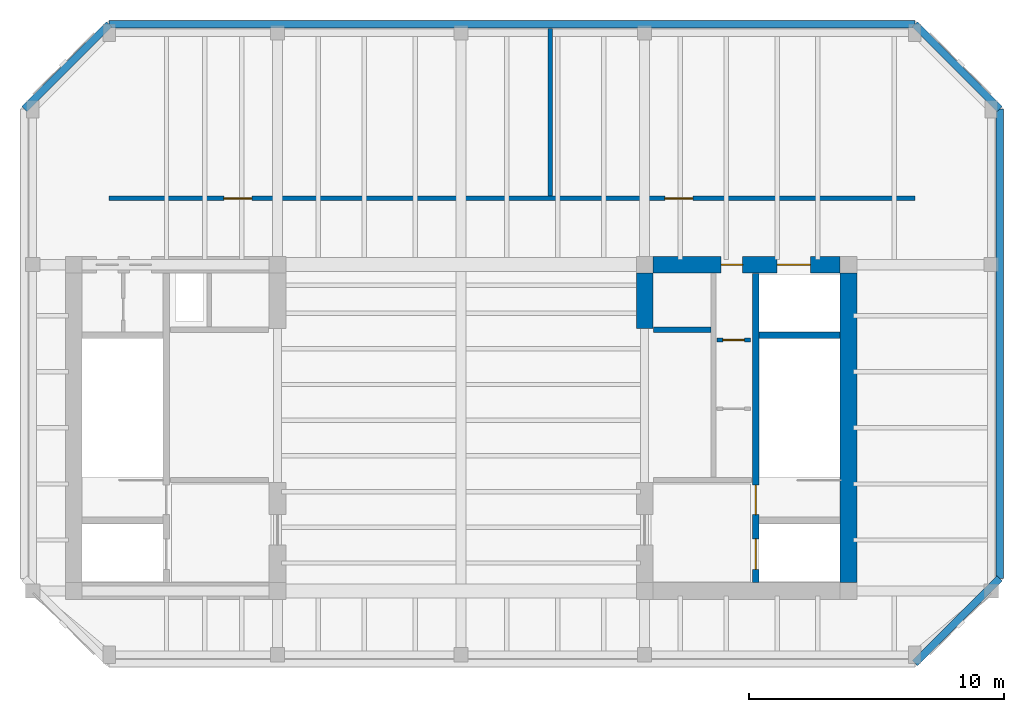
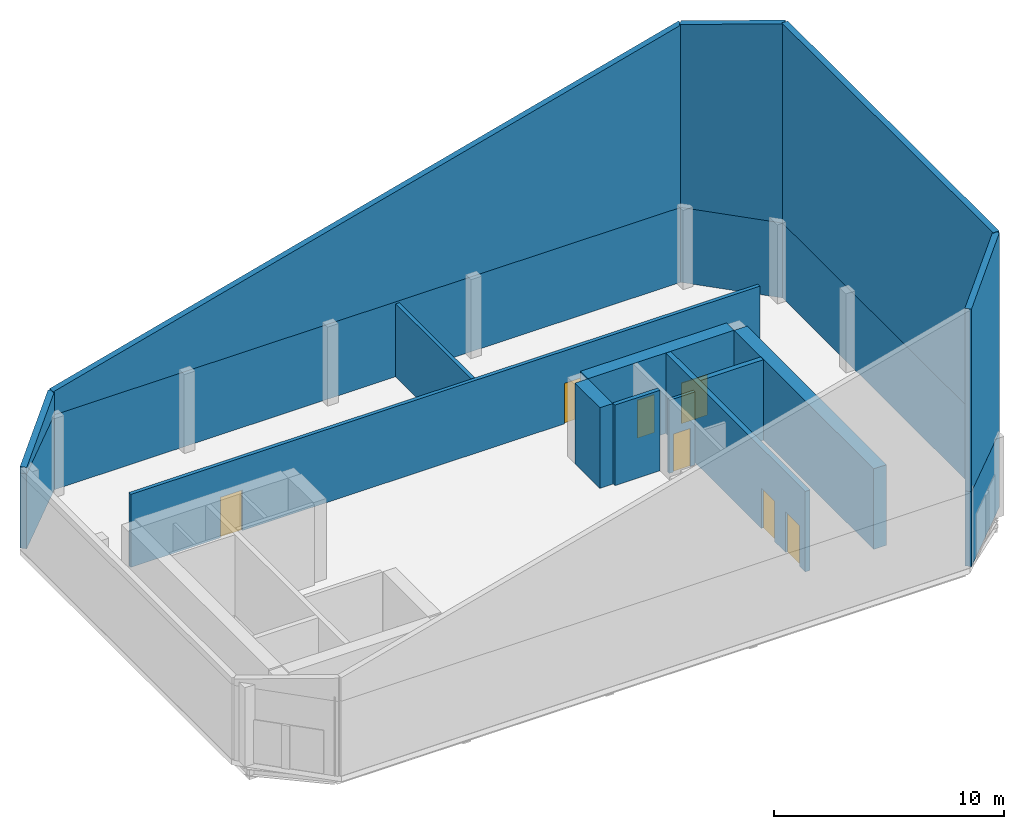
# One storey, part 3 of 4: 19 walls, 7 doors, 7 openings.
"""IFC4 building model written with IfcOpenShell, lengths in metres."""

import ifcopenshell
import ifcopenshell.guid

model = None  # the IFC model being written
_history = None  # IfcOwnerHistory: only IFC2X3 demands one
_inside = {}  # id of a spatial element -> (the spatial element, [elements in it])
_under = {}  # id of a project, library or spatial element -> (it, [spatial elements below it])
_declared = {}  # id of a project -> (the project, [libraries it declares])
_typed = {}  # id of a type object -> (the type object, [elements of that type])
_made_of = {}  # id of a material, layer set ... -> (it, [elements and type objects made of it])


def new_model(schema):
    """Start an empty IFC model of exactly this schema.

    Asked for "IFC4X3", IfcOpenShell would pick the latest addendum, in which some entities
    have other attributes; the version numbers below select the first issue.
    IFC2X3 requires an IfcOwnerHistory on every rooted entity: one is made here for all.
    """
    global model, _history
    if schema == "IFC4X3":
        model = ifcopenshell.file(schema_version=(4, 3, 0, 0))
    else:
        model = ifcopenshell.file(schema=schema)
    _inside.clear()
    _under.clear()
    _declared.clear()
    _typed.clear()
    _made_of.clear()
    _history = None
    if model.schema == "IFC2X3":
        org = make("IfcOrganization", Name="unknown")
        user = make(
            "IfcPersonAndOrganization",
            ThePerson=make("IfcPerson", FamilyName="unknown"),
            TheOrganization=org,
        )
        app = make(
            "IfcApplication",
            ApplicationDeveloper=org,
            Version="unknown",
            ApplicationFullName="unknown",
            ApplicationIdentifier="unknown",
        )
        _history = make(
            "IfcOwnerHistory",
            OwningUser=user,
            OwningApplication=app,
            ChangeAction="ADDED",
            CreationDate=0,
        )
    return model


def make(cls, **values):
    """One entity of the class cls with the attributes given. An attribute that is None is left unset."""
    return model.create_entity(
        cls, **{name: value for name, value in values.items() if value is not None}
    )


def rooted(cls, **values):
    """An entity with a GlobalId (a new one), such as an element, a storey or a relation."""
    return make(cls, GlobalId=ifcopenshell.guid.new(), OwnerHistory=_history, **values)


def si_unit(unit_type, name, prefix=None):
    """IfcSIUnit, for example si_unit("LENGTHUNIT", "METRE", prefix="MILLI")."""
    return make("IfcSIUnit", UnitType=unit_type, Prefix=prefix, Name=name)


def assignment(units):
    """IfcUnitAssignment: the units of a project."""
    return None if units is None else make("IfcUnitAssignment", Units=units)


def point(xyz):
    """IfcCartesianPoint."""
    return None if xyz is None else make("IfcCartesianPoint", Coordinates=xyz)


def direction(xyz):
    """IfcDirection."""
    return None if xyz is None else make("IfcDirection", DirectionRatios=xyz)


def frame(location, z_axis=None, x_axis=None):
    """IfcAxis2Placement3D, a coordinate frame: its origin and axes. An axis left out is left unset."""
    return make(
        "IfcAxis2Placement3D",
        Location=point(location),
        Axis=direction(z_axis),
        RefDirection=direction(x_axis),
    )


def frame_2d(location, x_axis=None):
    """IfcAxis2Placement2D, a coordinate frame in the plane: its origin and x axis."""
    return make(
        "IfcAxis2Placement2D", Location=point(location), RefDirection=direction(x_axis)
    )


def origin():
    """The frame at (0, 0, 0) with its axes left unset."""
    return frame((0.0, 0.0, 0.0))


def place(relative_to, where):
    """IfcLocalPlacement: puts the frame where relative to a parent placement (None: the world)."""
    return make(
        "IfcLocalPlacement", PlacementRelTo=relative_to, RelativePlacement=where
    )


def context(
    kind, dimensions, precision=None, world=None, true_north=None, identifier=None
):
    """IfcGeometricRepresentationContext, for example the 3D "Model" context."""
    return make(
        "IfcGeometricRepresentationContext",
        ContextIdentifier=identifier,
        ContextType=kind,
        CoordinateSpaceDimension=dimensions,
        Precision=precision,
        WorldCoordinateSystem=world,
        TrueNorth=true_north,
    )


def subcontext(parent, identifier, kind, view, scale=None):
    """IfcGeometricRepresentationSubContext, for example "Body" below "Model"."""
    return make(
        "IfcGeometricRepresentationSubContext",
        ContextIdentifier=identifier,
        ContextType=kind,
        ParentContext=parent,
        TargetScale=scale,
        TargetView=view,
    )


def project(units=None, contexts=None):
    """IfcProject with its units and contexts."""
    return rooted(
        "IfcProject",
        Name="project",
        RepresentationContexts=contexts,
        UnitsInContext=assignment(units),
    )


def spatial(cls, under=None, at=None, **own):
    """A site, building, storey or space (cls), placed at a placement, below another one or the project."""
    s = rooted(cls, ObjectPlacement=at, **own)
    if under is not None:
        _under.setdefault(under.id(), (under, []))[1].append(s)
    return s


def polyline(points):
    """IfcPolyline through the points."""
    return make("IfcPolyline", Points=[point(p) for p in points])


def profile(cls, at=None, kind="AREA", **sizes):
    """A parametric profile (cls). Its sizes go by their IFC names, for example OverallWidth=200.0."""
    return make(cls, ProfileType=kind, Position=at, **sizes)


def rectangle(**sizes):
    """IfcRectangleProfileDef."""
    return profile("IfcRectangleProfileDef", **sizes)


def outline(outer, holes=None, kind="AREA"):
    """IfcArbitraryClosedProfileDef: a profile drawn as a closed curve; with holes, ...WithVoids."""
    if holes is None:
        return make("IfcArbitraryClosedProfileDef", ProfileType=kind, OuterCurve=outer)
    return make(
        "IfcArbitraryProfileDefWithVoids",
        ProfileType=kind,
        OuterCurve=outer,
        InnerCurves=holes,
    )


def extrude(swept, where, along, depth):
    """IfcExtrudedAreaSolid: the profile swept, set in the frame where, extruded along a direction by depth."""
    return make(
        "IfcExtrudedAreaSolid",
        SweptArea=swept,
        Position=where,
        ExtrudedDirection=direction(along),
        Depth=depth,
    )


def shape(context_of_items, identifier, shape_type, items):
    """IfcShapeRepresentation: the items that make up one representation, for example the "Body"."""
    return make(
        "IfcShapeRepresentation",
        ContextOfItems=context_of_items,
        RepresentationIdentifier=identifier,
        RepresentationType=shape_type,
        Items=items,
    )


def material(Name=None, Category=None):
    """IfcMaterial."""
    return make("IfcMaterial", Name=Name, Category=Category)


def layer(
    of_material, thickness, ventilated=None, Name=None, Category=None, Priority=None
):
    """IfcMaterialLayer: one layer of a wall or slab, of a material (None: an air gap)."""
    return make(
        "IfcMaterialLayer",
        Material=of_material,
        LayerThickness=thickness,
        IsVentilated=ventilated,
        Name=Name,
        Category=Category,
        Priority=Priority,
    )


def layer_set(layers, Name=None):
    """IfcMaterialLayerSet."""
    return make("IfcMaterialLayerSet", MaterialLayers=layers, LayerSetName=Name)


def made_of(thing, what):
    """Note that an element or type object is made of a material, layer set ...; save() writes the relation."""
    if what is not None:
        _made_of.setdefault(what.id(), (what, []))[1].append(thing)
    return thing


def type_object(cls, material=None, **own):
    """A type object (cls), such as IfcWallType, which elements share."""
    return made_of(rooted(cls, **own), material)


def element(
    cls,
    number,
    at=None,
    inside=None,
    cuts=None,
    type_object=None,
    material=None,
    context=None,
    identifier="Body",
    shape_type=None,
    held_by="IfcProductDefinitionShape",
    body=None,
    shapes=None,
    **own,
):
    """One element of the class cls, such as IfcWall. Its Tag is "e" and its number.

    at: its placement. inside: the storey or other place that contains it. cuts: it is an
    opening in that element (IfcRelVoidsElement). A single representation is given by context,
    identifier, shape_type and body (its items); several are given by shapes. held_by: the class
    of the entity that holds the representations. save() writes the other relations.
    """
    e = rooted(cls, Tag="e%d" % number, ObjectPlacement=at, **own)
    if body is not None:
        shapes = [shape(context, identifier, shape_type, body)]
    if shapes is not None:
        e.Representation = make(held_by, Representations=shapes)
    if inside is not None:
        _inside.setdefault(inside.id(), (inside, []))[1].append(e)
    if cuts is not None:
        rooted(
            "IfcRelVoidsElement", RelatingBuildingElement=cuts, RelatedOpeningElement=e
        )
    if type_object is not None:
        _typed.setdefault(type_object.id(), (type_object, []))[1].append(e)
    return made_of(e, material)


def fill(opening, filler):
    """IfcRelFillsElement: the door or window that sits in an opening."""
    return rooted(
        "IfcRelFillsElement",
        RelatingOpeningElement=opening,
        RelatedBuildingElement=filler,
    )


def aggregate(whole, parts):
    """IfcRelAggregates: a whole, such as a stair, and the parts it consists of."""
    return rooted("IfcRelAggregates", RelatingObject=whole, RelatedObjects=parts)


def save(model, path):
    """Write the relations noted so far, then the file.

    IfcRelAggregates (storeys below a building ...), IfcRelContainedInSpatialStructure (elements
    in a storey), IfcRelDefinesByType, IfcRelAssociatesMaterial and IfcRelDeclares: one each for
    every whole, place, type object, material and project.
    """
    for whole, parts in _under.values():
        aggregate(whole, parts)
    for where, things in _inside.values():
        rooted(
            "IfcRelContainedInSpatialStructure",
            RelatedElements=things,
            RelatingStructure=where,
        )
    for kind, things in _typed.values():
        rooted("IfcRelDefinesByType", RelatedObjects=things, RelatingType=kind)
    for what, things in _made_of.values():
        rooted("IfcRelAssociatesMaterial", RelatedObjects=things, RelatingMaterial=what)
    for by, libraries in _declared.values():
        rooted("IfcRelDeclares", RelatingContext=by, RelatedDefinitions=libraries)
    model.write(path)


model = new_model("IFC4")

# Units and contexts
model_context = context("Model", 3, precision=1e-05, world=origin(), true_north=direction((0.0, 1.0)))
body_context = subcontext(model_context, "Body", "Model", "MODEL_VIEW")
ifc_project = project(units=[si_unit("LENGTHUNIT", "METRE"), si_unit("AREAUNIT", "SQUARE_METRE"), si_unit("VOLUMEUNIT", "CUBIC_METRE"), si_unit("PLANEANGLEUNIT", "RADIAN"), si_unit("MASSUNIT", "GRAM", prefix="KILO")], contexts=[model_context])

# Site, building, storey
site_placement = place(None, origin())
site = spatial("IfcSite", under=ifc_project, at=site_placement, CompositionType="ELEMENT")
building_placement = place(site_placement, origin())
building = spatial("IfcBuilding", under=site, at=building_placement, Name="Kranthara Brick Stack", CompositionType="ELEMENT")
storey_placement = place(building_placement, frame((0.0, 0.0, 309.0)))
storey = spatial("IfcBuildingStorey", under=building, at=storey_placement, Name="L81", CompositionType="ELEMENT", Elevation=309.0)

# Walls
ifc_material_1 = material(Name="Precast concrete C45/55", Category="concrete")
ifc_layer_1 = layer(ifc_material_1, 0.300048828125)
ifc_layer_set_1 = layer_set([ifc_layer_1], Name="Precast concrete C45/55")
wall_type_1 = type_object("IfcWallType", Name="WL-BRK-CRWN-300", PredefinedType="STANDARD", material=ifc_layer_set_1)
wall_1_placement = place(storey_placement, frame((10.8701171875, 39.699951171875, 0.0), z_axis=(0.0, 0.0, 1.0), x_axis=(0.707080859425, 0.707132701998, 0.0)))
element("IfcWall", 1, at=wall_1_placement, inside=storey, type_object=wall_type_1, Name="L81 Exterior Brick Facade Wall NW 1", PredefinedType="STANDARD", context=body_context, shape_type="SweptSolid", body=[
    extrude(rectangle(XDim=4.709228515625, YDim=0.300048828125, at=frame_2d((2.3544921875, 0.0))), origin(), (0.0, 0.0, 1.0), 3.97998046875),
])
wall_2_placement = place(storey_placement, frame((14.199951171875, 43.030029296875, 0.0), z_axis=(0.0, 0.0, 1.0), x_axis=(1.0, 0.0, 0.0)))
element("IfcWall", 2, at=wall_2_placement, inside=storey, type_object=wall_type_1, Name="L81 Exterior Brick Facade Wall NORTH 1", PredefinedType="STANDARD", context=body_context, shape_type="SweptSolid", body=[
    extrude(rectangle(XDim=31.60009765625, YDim=0.300048828125, at=frame_2d((15.800048828125, 0.0))), origin(), (0.0, 0.0, 1.0), 3.97998046875),
])
wall_3_placement = place(storey_placement, frame((45.800048828125, 43.030029296875, 0.0), z_axis=(0.0, 0.0, 1.0), x_axis=(0.707080859425, -0.707132701998, 0.0)))
element("IfcWall", 3, at=wall_3_placement, inside=storey, type_object=wall_type_1, Name="L81 Exterior Brick Facade Wall NE 1", PredefinedType="STANDARD", context=body_context, shape_type="SweptSolid", body=[
    extrude(rectangle(XDim=4.709228515625, YDim=0.300048828125, at=frame_2d((2.3544921875, 0.0))), origin(), (0.0, 0.0, 1.0), 3.97998046875),
])
wall_4_placement = place(storey_placement, frame((49.1298828125, 39.699951171875, 0.0), z_axis=(0.0, 0.0, 1.0), x_axis=(0.0, -1.0, 0.0)))
element("IfcWall", 4, at=wall_4_placement, inside=storey, type_object=wall_type_1, Name="L81 Exterior Brick Facade Wall EAST 1", PredefinedType="STANDARD", context=body_context, shape_type="SweptSolid", body=[
    extrude(rectangle(XDim=18.39990234375, YDim=0.300048828125, at=frame_2d((9.199951171875, 0.0))), origin(), (0.0, 0.0, 1.0), 3.97998046875),
])
wall_5_placement = place(storey_placement, frame((49.1298828125, 21.300048828125, 0.0), z_axis=(0.0, 0.0, 1.0), x_axis=(-0.707080859425, -0.707132701998, 0.0)))
element("IfcWall", 5, at=wall_5_placement, inside=storey, type_object=wall_type_1, Name="L81 Exterior Brick Facade Wall SE 1", PredefinedType="STANDARD", context=body_context, shape_type="SweptSolid", body=[
    extrude(rectangle(XDim=4.709228515625, YDim=0.300048828125, at=frame_2d((2.3544921875, 0.0))), origin(), (0.0, 0.0, 1.0), 3.97998046875),
])
wall_6_placement = place(storey_placement, frame((10.8701171875, 39.699951171875, 3.97998046875), z_axis=(0.0, 0.0, 1.0), x_axis=(0.707080859425, 0.707132701998, 0.0)))
element("IfcWall", 6, at=wall_6_placement, inside=storey, type_object=wall_type_1, Name="L81 Slanted Crown Raked Enclosure Wall NW", PredefinedType="STANDARD", context=body_context, shape_type="SweptSolid", body=[
    extrude(outline(polyline([(0.0, 0.0), (4.709228515625, 0.0), (4.709228515625, 1.23779296875), (0.0, 0.345703125), (0.0, 0.0)])), frame((0.0, 0.14990234375, 0.0), z_axis=(0.0, -1.0, 0.0), x_axis=(1.0, 0.0, 0.0)), (0.0, 0.0, 1.0), 0.300048828125),
])
wall_7_placement = place(storey_placement, frame((14.199951171875, 43.030029296875, 3.97998046875), z_axis=(0.0, 0.0, 1.0), x_axis=(1.0, 0.0, 0.0)))
element("IfcWall", 7, at=wall_7_placement, inside=storey, type_object=wall_type_1, Name="L81 Slanted Crown Raked Enclosure Wall NORTH", PredefinedType="STANDARD", context=body_context, shape_type="SweptSolid", body=[
    extrude(outline(polyline([(0.0, 0.0), (31.60009765625, 0.0), (31.60009765625, 9.705078125), (0.0, 1.23779296875), (0.0, 0.0)])), frame((0.0, 0.14990234375, 0.0), z_axis=(0.0, -1.0, 0.0), x_axis=(1.0, 0.0, 0.0)), (0.0, 0.0, 1.0), 0.300048828125),
])
wall_8_placement = place(storey_placement, frame((45.800048828125, 43.030029296875, 3.97998046875), z_axis=(0.0, 0.0, 1.0), x_axis=(0.707080859425, -0.707132701998, 0.0)))
element("IfcWall", 8, at=wall_8_placement, inside=storey, type_object=wall_type_1, Name="L81 Slanted Crown Raked Enclosure Wall NE", PredefinedType="STANDARD", context=body_context, shape_type="SweptSolid", body=[
    extrude(outline(polyline([(0.0, 0.0), (4.709228515625, 0.0), (4.709228515625, 10.59716796875), (0.0, 9.705078125), (0.0, 0.0)])), frame((0.0, 0.14990234375, 0.0), z_axis=(0.0, -1.0, 0.0), x_axis=(1.0, 0.0, 0.0)), (0.0, 0.0, 1.0), 0.300048828125),
])
wall_9_placement = place(storey_placement, frame((49.1298828125, 39.699951171875, 3.97998046875), z_axis=(0.0, 0.0, 1.0), x_axis=(0.0, -1.0, 0.0)))
element("IfcWall", 9, at=wall_9_placement, inside=storey, type_object=wall_type_1, Name="L81 Slanted Crown Raked Enclosure Wall EAST", PredefinedType="STANDARD", context=body_context, shape_type="SweptSolid", body=[
    extrude(outline(polyline([(0.0, 0.0), (18.39990234375, 0.0), (18.39990234375, 10.59716796875), (0.0, 10.59716796875), (0.0, 0.0)])), frame((0.0, 0.14990234375, 0.0), z_axis=(0.0, -1.0, 0.0), x_axis=(1.0, 0.0, 0.0)), (0.0, 0.0, 1.0), 0.300048828125),
])
wall_10_placement = place(storey_placement, frame((49.1298828125, 21.300048828125, 3.97998046875), z_axis=(0.0, 0.0, 1.0), x_axis=(-0.707080859425, -0.707132701998, 0.0)))
element("IfcWall", 10, at=wall_10_placement, inside=storey, type_object=wall_type_1, Name="L81 Slanted Crown Raked Enclosure Wall SE", PredefinedType="STANDARD", context=body_context, shape_type="SweptSolid", body=[
    extrude(outline(polyline([(0.0, 0.0), (4.709228515625, 0.0), (4.709228515625, 9.705078125), (0.0, 10.59716796875), (0.0, 0.0)])), frame((0.0, 0.14990234375, 0.0), z_axis=(0.0, -1.0, 0.0), x_axis=(1.0, 0.0, 0.0)), (0.0, 0.0, 1.0), 0.300048828125),
])

# Wall, openings, doors
ifc_material_2 = material(Name="Concrete C50/60", Category="concrete")
ifc_layer_2 = layer(ifc_material_2, 0.25)
ifc_layer_set_2 = layer_set([ifc_layer_2], Name="Concrete C50/60")
wall_type_2 = type_object("IfcWallType", Name="WL-CORE-250", PredefinedType="SHEAR", material=ifc_layer_set_2)
wall_11_placement = place(storey_placement, frame((39.56494140625, 21.135009765625, 0.0), z_axis=(0.0, 0.0, 1.0), x_axis=(0.0, 1.0, 0.0)))
wall_11 = element("IfcWall", 11, at=wall_11_placement, inside=storey, type_object=wall_type_2, Name="L81 East Core Stair Bearing Spine Wall", PredefinedType="SHEAR", context=body_context, shape_type="SweptSolid", body=[
    extrude(rectangle(XDim=12.1298828125, YDim=0.25, at=frame_2d((6.06494140625, 0.0))), origin(), (0.0, 0.0, 1.0), 4.280029296875),
])
opening_1_placement = place(wall_11_placement, frame((0.514892578125, 0.0, 0.0)))
opening_1 = element("IfcOpeningElement", 12, at=opening_1_placement, cuts=wall_11, Name="Opening LD01", PredefinedType="OPENING", context=body_context, shape_type="SweptSolid", body=[
    extrude(rectangle(XDim=1.199951171875, YDim=2.14990234375, at=frame_2d((0.60009765625, 1.074951171875))), frame((0.0, 0.135009765625, 0.0), z_axis=(0.0, -1.0, 0.0), x_axis=(1.0, 0.0, 0.0)), (0.0, 0.0, 1.0), 0.27001953125),
])
opening_2_placement = place(wall_11_placement, frame((2.6650390625, 0.0, 0.0)))
opening_2 = element("IfcOpeningElement", 13, at=opening_2_placement, cuts=wall_11, Name="Opening D05", PredefinedType="OPENING", context=body_context, shape_type="SweptSolid", body=[
    extrude(rectangle(XDim=1.14990234375, YDim=2.14990234375, at=frame_2d((0.574951171875, 1.074951171875))), frame((0.0, 0.135009765625, 0.0), z_axis=(0.0, -1.0, 0.0), x_axis=(1.0, 0.0, 0.0)), (0.0, 0.0, 1.0), 0.27001953125),
])
ifc_material_3 = material(Name="Stainless steel sliding landing door", Category="steel")
door_type_1 = type_object("IfcDoorType", Name="DR-LD-FF1200", OperationType="DOUBLE_DOOR_SLIDING", PredefinedType="DOOR", material=ifc_material_3)
door_1_placement = place(opening_1_placement, origin())
door_1 = element("IfcDoor", 14, at=door_1_placement, inside=storey, type_object=door_type_1, Name="L81 Firefighting Lift FF-02 Landing Door", OperationType="DOUBLE_DOOR_SLIDING", OverallHeight=2.14990234375, OverallWidth=1.199951171875, PredefinedType="DOOR", context=body_context, shape_type="SweptSolid", body=[
    extrude(rectangle(XDim=1.199951171875, YDim=2.14990234375, at=frame_2d((0.60009765625, 1.074951171875))), frame((0.0, 0.02490234375, 0.0), z_axis=(0.0, -1.0, 0.0), x_axis=(1.0, 0.0, 0.0)), (0.0, 0.0, 1.0), 0.050048828125),
])
fill(opening_1, door_1)
ifc_material_4 = material(Name="Solid-core hardwood timber leaf in steel frame", Category="steel")
door_type_2 = type_object("IfcDoorType", Name="DR-ST-1150", OperationType="NOTDEFINED", PredefinedType="DOOR", material=ifc_material_4)
door_2_placement = place(opening_2_placement, origin())
door_2 = element("IfcDoor", 15, at=door_2_placement, inside=storey, type_object=door_type_2, Name="L81 Exit Stair ST02 Door", OperationType="SINGLE_SWING_LEFT", OverallHeight=2.14990234375, OverallWidth=1.14990234375, PredefinedType="DOOR", context=body_context, shape_type="SweptSolid", body=[
    extrude(rectangle(XDim=1.14990234375, YDim=2.14990234375, at=frame_2d((0.574951171875, 1.074951171875))), frame((0.0, 0.02490234375, 0.0), z_axis=(0.0, -1.0, 0.0), x_axis=(1.0, 0.0, 0.0)), (0.0, 0.0, 1.0), 0.050048828125),
])
fill(opening_2, door_2)

# Walls
wall_12_placement = place(storey_placement, frame((39.68994140625, 30.830078125, 0.0), z_axis=(0.0, 0.0, 1.0), x_axis=(1.0, 0.0, 0.0)))
element("IfcWall", 16, at=wall_12_placement, inside=storey, type_object=wall_type_2, Name="L81 East Stairwell Bearing Wall EST", PredefinedType="SHEAR", context=body_context, shape_type="SweptSolid", body=[
    extrude(rectangle(XDim=3.175048828125, YDim=0.25, at=frame_2d((1.58740234375, 0.0))), origin(), (0.0, 0.0, 1.0), 4.280029296875),
])
ifc_material_5 = material(Name="Concrete C60/75", Category="concrete")
ifc_layer_3 = layer(ifc_material_5, 0.64990234375)
ifc_layer_set_3 = layer_set([ifc_layer_3], Name="Concrete C60/75")
wall_type_3 = type_object("IfcWallType", Name="WL-CORE-650", PredefinedType="SHEAR", material=ifc_layer_set_3)
wall_13_placement = place(storey_placement, frame((43.199951171875, 21.1298828125, 0.0), z_axis=(0.0, 0.0, 1.0), x_axis=(0.0, 1.0, 0.0)))
element("IfcWall", 17, at=wall_13_placement, inside=storey, type_object=wall_type_3, Name="L81 East Core Shear Wall East", PredefinedType="SHEAR", context=body_context, shape_type="SweptSolid", body=[
    extrude(rectangle(XDim=12.14013671875, YDim=0.64990234375, at=frame_2d((6.070068359375, 0.0))), origin(), (0.0, 0.0, 1.0), 4.280029296875),
])

# Wall, openings, doors
wall_14_placement = place(storey_placement, frame((35.530029296875, 33.60009765625, 0.0), z_axis=(0.0, 0.0, 1.0), x_axis=(1.0, 0.0, 0.0)))
wall_14 = element("IfcWall", 18, at=wall_14_placement, inside=storey, type_object=wall_type_3, Name="L81 East Core Shear Wall North", PredefinedType="SHEAR", context=body_context, shape_type="SweptSolid", body=[
    extrude(rectangle(XDim=7.340087890625, YDim=0.64990234375, at=frame_2d((3.669921875, 0.0))), origin(), (0.0, 0.0, 1.0), 4.280029296875),
])
opening_3_placement = place(wall_14_placement, frame((4.8701171875, 0.0, 0.0)))
opening_3 = element("IfcOpeningElement", 19, at=opening_3_placement, cuts=wall_14, Name="Opening LD03", PredefinedType="OPENING", context=body_context, shape_type="SweptSolid", body=[
    extrude(rectangle(XDim=1.300048828125, YDim=2.14990234375, at=frame_2d((0.64990234375, 1.074951171875))), frame((0.0, 0.3349609375, 0.0), z_axis=(0.0, -1.0, 0.0), x_axis=(1.0, 0.0, 0.0)), (0.0, 0.0, 1.0), 0.669921875),
])
opening_4_placement = place(wall_14_placement, frame((2.669921875, 0.0, 0.0)))
opening_4 = element("IfcOpeningElement", 20, at=opening_4_placement, cuts=wall_14, Name="Opening D10", PredefinedType="OPENING", context=body_context, shape_type="SweptSolid", body=[
    extrude(rectangle(XDim=0.85009765625, YDim=2.02001953125, at=frame_2d((0.425048828125, 1.010009765625))), frame((0.0, 0.3349609375, 0.0), z_axis=(0.0, -1.0, 0.0), x_axis=(1.0, 0.0, 0.0)), (0.0, 0.0, 1.0), 0.669921875),
])
ifc_material_6 = material(Name="Stainless steel sliding landing door", Category="steel")
door_type_3 = type_object("IfcDoorType", Name="DR-LD-SV1300", OperationType="DOUBLE_DOOR_SLIDING", PredefinedType="DOOR", material=ifc_material_6)
door_3_placement = place(opening_3_placement, origin())
door_3 = element("IfcDoor", 21, at=door_3_placement, inside=storey, type_object=door_type_3, Name="L81 Stretcher Service Lift SV-01 Landing Door", OperationType="DOUBLE_DOOR_SLIDING", OverallHeight=2.14990234375, OverallWidth=1.300048828125, PredefinedType="DOOR", context=body_context, shape_type="SweptSolid", body=[
    extrude(rectangle(XDim=1.300048828125, YDim=2.14990234375, at=frame_2d((0.64990234375, 1.074951171875))), frame((0.0, 0.02490234375, 0.0), z_axis=(0.0, -1.0, 0.0), x_axis=(1.0, 0.0, 0.0)), (0.0, 0.0, 1.0), 0.050048828125),
])
fill(opening_3, door_3)
ifc_material_7 = material(Name="Solid-core hardwood timber leaf in steel frame", Category="steel")
door_type_4 = type_object("IfcDoorType", Name="DR-RSR-850", OperationType="NOTDEFINED", PredefinedType="DOOR", material=ifc_material_7)
door_4_placement = place(opening_4_placement, origin())
door_4 = element("IfcDoor", 22, at=door_4_placement, inside=storey, type_object=door_type_4, Name="L81 East Core Service Room Door", OperationType="SINGLE_SWING_LEFT", OverallHeight=2.02001953125, OverallWidth=0.85009765625, PredefinedType="DOOR", context=body_context, shape_type="SweptSolid", body=[
    extrude(rectangle(XDim=0.85009765625, YDim=2.02001953125, at=frame_2d((0.425048828125, 1.010009765625))), frame((0.0, 0.02490234375, 0.0), z_axis=(0.0, -1.0, 0.0), x_axis=(1.0, 0.0, 0.0)), (0.0, 0.0, 1.0), 0.050048828125),
])
fill(opening_4, door_4)

# Wall
wall_15_placement = place(storey_placement, frame((35.199951171875, 31.10009765625, 0.0), z_axis=(0.0, 0.0, 1.0), x_axis=(0.0, 1.0, 0.0)))
element("IfcWall", 23, at=wall_15_placement, inside=storey, type_object=wall_type_3, Name="L81 East Core High-Rise Lift Wall", PredefinedType="SHEAR", context=body_context, shape_type="SweptSolid", body=[
    extrude(rectangle(XDim=2.169921875, YDim=0.64990234375, at=frame_2d((1.0849609375, 0.0))), origin(), (0.0, 0.0, 1.0), 4.280029296875),
])

# Wall, opening, door
ifc_material_8 = material(Name="Fire-rated gypsum board partition", Category="other")
ifc_layer_4 = layer(ifc_material_8, 0.14990234375)
ifc_layer_set_4 = layer_set([ifc_layer_4], Name="Fire-rated gypsum board partition")
wall_type_4 = type_object("IfcWallType", Name="WL-PART-150", PredefinedType="PARTITIONING", material=ifc_layer_set_4)
wall_16_placement = place(storey_placement, frame((38.050048828125, 30.64990234375, 0.0), z_axis=(0.0, 0.0, 1.0), x_axis=(1.0, 0.0, 0.0)))
wall_16 = element("IfcWall", 24, at=wall_16_placement, inside=storey, type_object=wall_type_4, Name="L81 Interior Partition 003", PredefinedType="PARTITIONING", context=body_context, shape_type="SweptSolid", body=[
    extrude(rectangle(XDim=1.300048828125, YDim=0.14990234375, at=frame_2d((0.64990234375, 0.0))), origin(), (0.0, 0.0, 1.0), 3.8798828125),
])
opening_5_placement = place(wall_16_placement, frame((0.219970703125, 0.0, 0.0)))
opening_5 = element("IfcOpeningElement", 25, at=opening_5_placement, cuts=wall_16, Name="Opening D10", PredefinedType="OPENING", context=body_context, shape_type="SweptSolid", body=[
    extrude(rectangle(XDim=0.85009765625, YDim=2.02001953125, at=frame_2d((0.425048828125, 1.010009765625))), frame((0.0, 0.0849609375, 0.0), z_axis=(0.0, -1.0, 0.0), x_axis=(1.0, 0.0, 0.0)), (0.0, 0.0, 1.0), 0.169921875),
])
door_5_placement = place(opening_5_placement, origin())
door_5 = element("IfcDoor", 26, at=door_5_placement, inside=storey, type_object=door_type_4, Name="L81 Riser Door 2 03", OperationType="SINGLE_SWING_LEFT", OverallHeight=2.02001953125, OverallWidth=0.85009765625, PredefinedType="DOOR", context=body_context, shape_type="SweptSolid", body=[
    extrude(rectangle(XDim=0.85009765625, YDim=2.02001953125, at=frame_2d((0.425048828125, 1.010009765625))), frame((0.0, 0.02490234375, 0.0), z_axis=(0.0, -1.0, 0.0), x_axis=(1.0, 0.0, 0.0)), (0.0, 0.0, 1.0), 0.050048828125),
])
fill(opening_5, door_5)

# Wall, openings, doors
ifc_material_9 = material(Name="Gypsum plasterboard on acoustic twin stud", Category="other")
ifc_layer_5 = layer(ifc_material_9, 0.179931640625)
ifc_layer_set_5 = layer_set([ifc_layer_5], Name="Gypsum plasterboard on acoustic twin stud")
wall_type_5 = type_object("IfcWallType", Name="WL-PART-180", PredefinedType="PARTITIONING", material=ifc_layer_set_5)
wall_17_placement = place(storey_placement, frame((14.199951171875, 36.199951171875, 0.0), z_axis=(0.0, 0.0, 1.0), x_axis=(1.0, 0.0, 0.0)))
wall_17 = element("IfcWall", 27, at=wall_17_placement, inside=storey, type_object=wall_type_5, Name="L81 Interior Partition 004", PredefinedType="PARTITIONING", context=body_context, shape_type="SweptSolid", body=[
    extrude(rectangle(XDim=31.60009765625, YDim=0.179931640625, at=frame_2d((15.800048828125, 0.0))), origin(), (0.0, 0.0, 1.0), 3.8798828125),
])
opening_6_placement = place(wall_17_placement, frame((4.5, 0.0, 0.0)))
opening_6 = element("IfcOpeningElement", 28, at=opening_6_placement, cuts=wall_17, Name="Opening D07", PredefinedType="OPENING", context=body_context, shape_type="SweptSolid", body=[
    extrude(rectangle(XDim=1.10009765625, YDim=2.14990234375, at=frame_2d((0.550048828125, 1.074951171875))), frame((0.0, 0.099853515625, 0.0), z_axis=(0.0, -1.0, 0.0), x_axis=(1.0, 0.0, 0.0)), (0.0, 0.0, 1.0), 0.199951171875),
])
opening_7_placement = place(wall_17_placement, frame((21.800048828125, 0.0, 0.0)))
opening_7 = element("IfcOpeningElement", 29, at=opening_7_placement, cuts=wall_17, Name="Opening D07", PredefinedType="OPENING", context=body_context, shape_type="SweptSolid", body=[
    extrude(rectangle(XDim=1.10009765625, YDim=2.14990234375, at=frame_2d((0.550048828125, 1.074951171875))), frame((0.0, 0.099853515625, 0.0), z_axis=(0.0, -1.0, 0.0), x_axis=(1.0, 0.0, 0.0)), (0.0, 0.0, 1.0), 0.199951171875),
])
ifc_material_10 = material(Name="Solid-core hardwood timber leaf in steel frame", Category="steel")
door_type_5 = type_object("IfcDoorType", Name="DR-FD-1100", OperationType="NOTDEFINED", PredefinedType="DOOR", material=ifc_material_10)
door_6_placement = place(opening_6_placement, origin())
door_6 = element("IfcDoor", 30, at=door_6_placement, inside=storey, type_object=door_type_5, Name="L81 Crown Cooling Plant Door 04", OperationType="SINGLE_SWING_RIGHT", OverallHeight=2.14990234375, OverallWidth=1.10009765625, PredefinedType="DOOR", context=body_context, shape_type="SweptSolid", body=[
    extrude(rectangle(XDim=1.10009765625, YDim=2.14990234375, at=frame_2d((0.550048828125, 1.074951171875))), frame((0.0, 0.02490234375, 0.0), z_axis=(0.0, -1.0, 0.0), x_axis=(1.0, 0.0, 0.0)), (0.0, 0.0, 1.0), 0.050048828125),
])
fill(opening_6, door_6)
door_7_placement = place(opening_7_placement, origin())
door_7 = element("IfcDoor", 31, at=door_7_placement, inside=storey, type_object=door_type_5, Name="L81 Crown Lift Machine Door 05", OperationType="SINGLE_SWING_LEFT", OverallHeight=2.14990234375, OverallWidth=1.10009765625, PredefinedType="DOOR", context=body_context, shape_type="SweptSolid", body=[
    extrude(rectangle(XDim=1.10009765625, YDim=2.14990234375, at=frame_2d((0.550048828125, 1.074951171875))), frame((0.0, 0.02490234375, 0.0), z_axis=(0.0, -1.0, 0.0), x_axis=(1.0, 0.0, 0.0)), (0.0, 0.0, 1.0), 0.050048828125),
])
fill(opening_7, door_7)

# Walls
wall_18_placement = place(storey_placement, frame((31.5, 36.300048828125, 0.0), z_axis=(0.0, 0.0, 1.0), x_axis=(0.0, 1.0, 0.0)))
element("IfcWall", 32, at=wall_18_placement, inside=storey, type_object=wall_type_5, Name="L81 Interior Partition 005", PredefinedType="PARTITIONING", context=body_context, shape_type="SweptSolid", body=[
    extrude(rectangle(XDim=6.574951171875, YDim=0.179931640625, at=frame_2d((3.28759765625, 0.0))), origin(), (0.0, 0.0, 1.0), 3.8798828125),
])
ifc_material_11 = material(Name="Concrete C40/50", Category="concrete")
ifc_layer_6 = layer(ifc_material_11, 0.199951171875)
ifc_layer_set_6 = layer_set([ifc_layer_6], Name="Concrete C40/50")
wall_type_6 = type_object("IfcWallType", Name="WL-PART-200", PredefinedType="SOLIDWALL", material=ifc_layer_set_6)
wall_19_placement = place(storey_placement, frame((35.550048828125, 31.050048828125, 0.0), z_axis=(0.0, 0.0, 1.0), x_axis=(1.0, 0.0, 0.0)))
element("IfcWall", 33, at=wall_19_placement, inside=storey, type_object=wall_type_6, Name="L81 East Core Cross Wall EE4", PredefinedType="SOLIDWALL", context=body_context, shape_type="SweptSolid", body=[
    extrude(rectangle(XDim=2.25, YDim=0.199951171875, at=frame_2d((1.125, 0.0))), origin(), (0.0, 0.0, 1.0), 4.280029296875),
])

save(model, "model.ifc")
